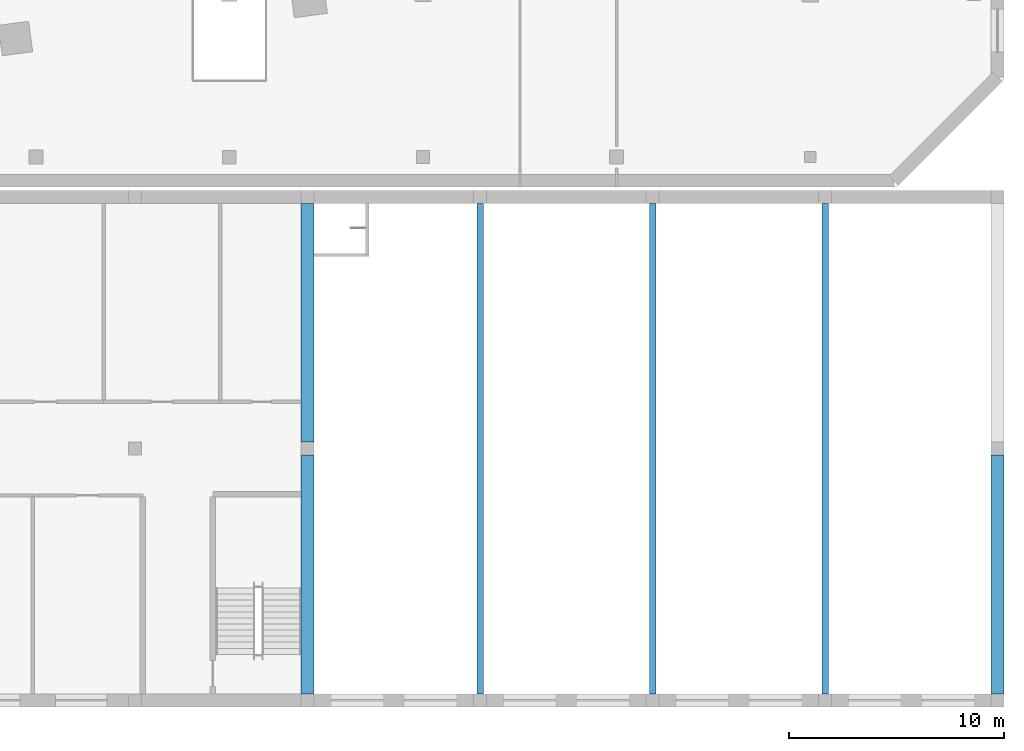
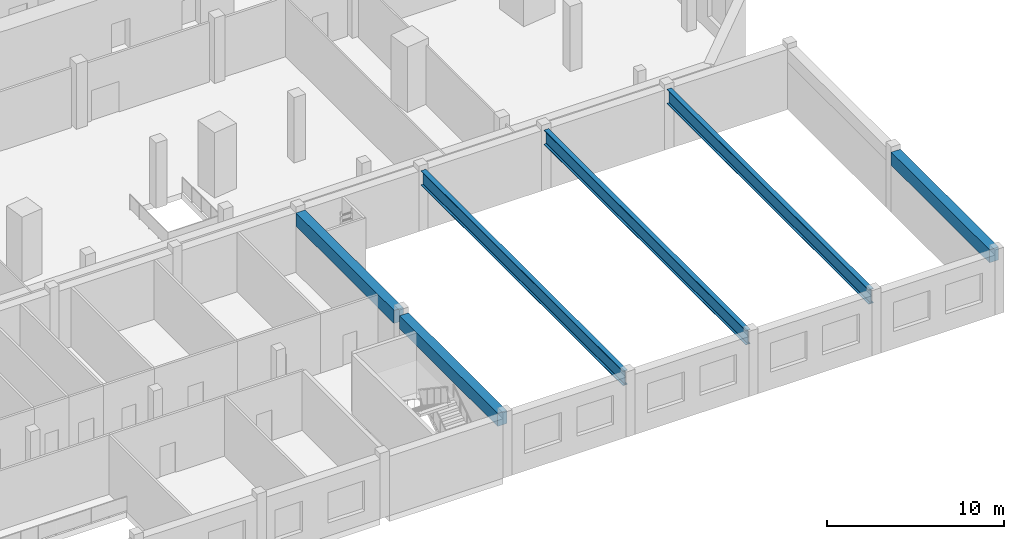
# One storey, part 3 of 27: 6 beams.
"""IFC4 building model written with IfcOpenShell, lengths in metres."""

import ifcopenshell
import ifcopenshell.guid

model = None  # the IFC model being written
_history = None  # IfcOwnerHistory: only IFC2X3 demands one
_inside = {}  # id of a spatial element -> (the spatial element, [elements in it])
_under = {}  # id of a project, library or spatial element -> (it, [spatial elements below it])
_declared = {}  # id of a project -> (the project, [libraries it declares])
_typed = {}  # id of a type object -> (the type object, [elements of that type])
_made_of = {}  # id of a material, layer set ... -> (it, [elements and type objects made of it])


def new_model(schema):
    """Start an empty IFC model of exactly this schema.

    Asked for "IFC4X3", IfcOpenShell would pick the latest addendum, in which some entities
    have other attributes; the version numbers below select the first issue.
    IFC2X3 requires an IfcOwnerHistory on every rooted entity: one is made here for all.
    """
    global model, _history
    if schema == "IFC4X3":
        model = ifcopenshell.file(schema_version=(4, 3, 0, 0))
    else:
        model = ifcopenshell.file(schema=schema)
    _inside.clear()
    _under.clear()
    _declared.clear()
    _typed.clear()
    _made_of.clear()
    _history = None
    if model.schema == "IFC2X3":
        org = make("IfcOrganization", Name="unknown")
        user = make(
            "IfcPersonAndOrganization",
            ThePerson=make("IfcPerson", FamilyName="unknown"),
            TheOrganization=org,
        )
        app = make(
            "IfcApplication",
            ApplicationDeveloper=org,
            Version="unknown",
            ApplicationFullName="unknown",
            ApplicationIdentifier="unknown",
        )
        _history = make(
            "IfcOwnerHistory",
            OwningUser=user,
            OwningApplication=app,
            ChangeAction="ADDED",
            CreationDate=0,
        )
    return model


def make(cls, **values):
    """One entity of the class cls with the attributes given. An attribute that is None is left unset."""
    return model.create_entity(
        cls, **{name: value for name, value in values.items() if value is not None}
    )


def rooted(cls, **values):
    """An entity with a GlobalId (a new one), such as an element, a storey or a relation."""
    return make(cls, GlobalId=ifcopenshell.guid.new(), OwnerHistory=_history, **values)


def si_unit(unit_type, name, prefix=None):
    """IfcSIUnit, for example si_unit("LENGTHUNIT", "METRE", prefix="MILLI")."""
    return make("IfcSIUnit", UnitType=unit_type, Prefix=prefix, Name=name)


def assignment(units):
    """IfcUnitAssignment: the units of a project."""
    return None if units is None else make("IfcUnitAssignment", Units=units)


def point(xyz):
    """IfcCartesianPoint."""
    return None if xyz is None else make("IfcCartesianPoint", Coordinates=xyz)


def direction(xyz):
    """IfcDirection."""
    return None if xyz is None else make("IfcDirection", DirectionRatios=xyz)


def frame(location, z_axis=None, x_axis=None):
    """IfcAxis2Placement3D, a coordinate frame: its origin and axes. An axis left out is left unset."""
    return make(
        "IfcAxis2Placement3D",
        Location=point(location),
        Axis=direction(z_axis),
        RefDirection=direction(x_axis),
    )


def frame_2d(location, x_axis=None):
    """IfcAxis2Placement2D, a coordinate frame in the plane: its origin and x axis."""
    return make(
        "IfcAxis2Placement2D", Location=point(location), RefDirection=direction(x_axis)
    )


def origin():
    """The frame at (0, 0, 0) with its axes left unset."""
    return frame((0.0, 0.0, 0.0))


def origin_2d():
    """The frame at (0, 0) in the plane with its x axis left unset."""
    return frame_2d((0.0, 0.0))


def place(relative_to, where):
    """IfcLocalPlacement: puts the frame where relative to a parent placement (None: the world)."""
    return make(
        "IfcLocalPlacement", PlacementRelTo=relative_to, RelativePlacement=where
    )


def context(
    kind, dimensions, precision=None, world=None, true_north=None, identifier=None
):
    """IfcGeometricRepresentationContext, for example the 3D "Model" context."""
    return make(
        "IfcGeometricRepresentationContext",
        ContextIdentifier=identifier,
        ContextType=kind,
        CoordinateSpaceDimension=dimensions,
        Precision=precision,
        WorldCoordinateSystem=world,
        TrueNorth=true_north,
    )


def subcontext(parent, identifier, kind, view, scale=None):
    """IfcGeometricRepresentationSubContext, for example "Body" below "Model"."""
    return make(
        "IfcGeometricRepresentationSubContext",
        ContextIdentifier=identifier,
        ContextType=kind,
        ParentContext=parent,
        TargetScale=scale,
        TargetView=view,
    )


def project(units=None, contexts=None):
    """IfcProject with its units and contexts."""
    return rooted(
        "IfcProject",
        Name="project",
        RepresentationContexts=contexts,
        UnitsInContext=assignment(units),
    )


def spatial(cls, under=None, at=None, **own):
    """A site, building, storey or space (cls), placed at a placement, below another one or the project."""
    s = rooted(cls, ObjectPlacement=at, **own)
    if under is not None:
        _under.setdefault(under.id(), (under, []))[1].append(s)
    return s


def profile(cls, at=None, kind="AREA", **sizes):
    """A parametric profile (cls). Its sizes go by their IFC names, for example OverallWidth=200.0."""
    return make(cls, ProfileType=kind, Position=at, **sizes)


def rectangle(**sizes):
    """IfcRectangleProfileDef."""
    return profile("IfcRectangleProfileDef", **sizes)


def i_section(**sizes):
    """IfcIShapeProfileDef."""
    return profile("IfcIShapeProfileDef", **sizes)


def extrude(swept, where, along, depth):
    """IfcExtrudedAreaSolid: the profile swept, set in the frame where, extruded along a direction by depth."""
    return make(
        "IfcExtrudedAreaSolid",
        SweptArea=swept,
        Position=where,
        ExtrudedDirection=direction(along),
        Depth=depth,
    )


def shape(context_of_items, identifier, shape_type, items):
    """IfcShapeRepresentation: the items that make up one representation, for example the "Body"."""
    return make(
        "IfcShapeRepresentation",
        ContextOfItems=context_of_items,
        RepresentationIdentifier=identifier,
        RepresentationType=shape_type,
        Items=items,
    )


def material(Name=None, Category=None):
    """IfcMaterial."""
    return make("IfcMaterial", Name=Name, Category=Category)


def material_profile(
    of_material, cross_section, Name=None, Category=None, Priority=None
):
    """IfcMaterialProfile: a cross section and its material."""
    return make(
        "IfcMaterialProfile",
        Name=Name,
        Material=of_material,
        Profile=cross_section,
        Priority=Priority,
        Category=Category,
    )


def profile_set(profiles, Name=None, composite=None):
    """IfcMaterialProfileSet."""
    return make(
        "IfcMaterialProfileSet",
        Name=Name,
        MaterialProfiles=profiles,
        CompositeProfile=composite,
    )


def made_of(thing, what):
    """Note that an element or type object is made of a material, layer set ...; save() writes the relation."""
    if what is not None:
        _made_of.setdefault(what.id(), (what, []))[1].append(thing)
    return thing


def type_object(cls, material=None, **own):
    """A type object (cls), such as IfcWallType, which elements share."""
    return made_of(rooted(cls, **own), material)


def element(
    cls,
    number,
    at=None,
    inside=None,
    cuts=None,
    type_object=None,
    material=None,
    context=None,
    identifier="Body",
    shape_type=None,
    held_by="IfcProductDefinitionShape",
    body=None,
    shapes=None,
    **own,
):
    """One element of the class cls, such as IfcWall. Its Tag is "e" and its number.

    at: its placement. inside: the storey or other place that contains it. cuts: it is an
    opening in that element (IfcRelVoidsElement). A single representation is given by context,
    identifier, shape_type and body (its items); several are given by shapes. held_by: the class
    of the entity that holds the representations. save() writes the other relations.
    """
    e = rooted(cls, Tag="e%d" % number, ObjectPlacement=at, **own)
    if body is not None:
        shapes = [shape(context, identifier, shape_type, body)]
    if shapes is not None:
        e.Representation = make(held_by, Representations=shapes)
    if inside is not None:
        _inside.setdefault(inside.id(), (inside, []))[1].append(e)
    if cuts is not None:
        rooted(
            "IfcRelVoidsElement", RelatingBuildingElement=cuts, RelatedOpeningElement=e
        )
    if type_object is not None:
        _typed.setdefault(type_object.id(), (type_object, []))[1].append(e)
    return made_of(e, material)


def aggregate(whole, parts):
    """IfcRelAggregates: a whole, such as a stair, and the parts it consists of."""
    return rooted("IfcRelAggregates", RelatingObject=whole, RelatedObjects=parts)


def save(model, path):
    """Write the relations noted so far, then the file.

    IfcRelAggregates (storeys below a building ...), IfcRelContainedInSpatialStructure (elements
    in a storey), IfcRelDefinesByType, IfcRelAssociatesMaterial and IfcRelDeclares: one each for
    every whole, place, type object, material and project.
    """
    for whole, parts in _under.values():
        aggregate(whole, parts)
    for where, things in _inside.values():
        rooted(
            "IfcRelContainedInSpatialStructure",
            RelatedElements=things,
            RelatingStructure=where,
        )
    for kind, things in _typed.values():
        rooted("IfcRelDefinesByType", RelatedObjects=things, RelatingType=kind)
    for what, things in _made_of.values():
        rooted("IfcRelAssociatesMaterial", RelatedObjects=things, RelatingMaterial=what)
    for by, libraries in _declared.values():
        rooted("IfcRelDeclares", RelatingContext=by, RelatedDefinitions=libraries)
    model.write(path)


model = new_model("IFC4")

# Units and contexts
model_context = context("Model", 3, precision=1e-05, world=origin(), true_north=direction((0.0, 1.0)))
body_context = subcontext(model_context, "Body", "Model", "MODEL_VIEW")
ifc_project = project(units=[si_unit("LENGTHUNIT", "METRE"), si_unit("AREAUNIT", "SQUARE_METRE"), si_unit("VOLUMEUNIT", "CUBIC_METRE"), si_unit("PLANEANGLEUNIT", "RADIAN"), si_unit("MASSUNIT", "GRAM", prefix="KILO")], contexts=[model_context])

# Site, building, storey
site_placement = place(None, origin())
site = spatial("IfcSite", under=ifc_project, at=site_placement, CompositionType="ELEMENT")
building_placement = place(site_placement, origin())
building = spatial("IfcBuilding", under=site, at=building_placement, Name="Dilmun Exchange Tower", CompositionType="ELEMENT")
storey_placement = place(building_placement, frame((0.0, 0.0, 4.5)))
storey = spatial("IfcBuildingStorey", under=building, at=storey_placement, Name="L01", CompositionType="ELEMENT", Elevation=4.5)

# Beams
ifc_material_1 = material(Name="Concrete C40/50", Category="concrete")
ifc_material_profile_1 = material_profile(ifc_material_1, rectangle(XDim=0.60009765625, YDim=0.89990234375, at=origin_2d()), Name="600 x 900")
ifc_profile_set_1 = profile_set([ifc_material_profile_1], Name="Concrete C40/50")
beam_type_1 = type_object("IfcBeamType", Name="School edge beam 600 x 900", PredefinedType="BEAM", material=ifc_profile_set_1)
for number, where, z_axis, x_axis, name in (
    (1, (3.63330078125, -59.550048828125, 3.64990234375), (0.0, 1.0, 0.0), (-1.0, 0.0, 0.0), "School sports hall edge beam"),
    (2, (3.63330078125, -47.85009765625, 3.64990234375), (0.0, 1.0, 0.0), (-1.0, 0.0, 0.0), "School sports hall edge beam"),
    (3, (35.699951171875, -59.550048828125, 3.699951171875), (0.0, 1.0, 0.0), (-1.0, 0.0, 0.0), "School sports hall edge beam"),
):
    element("IfcBeam", number, at=place(storey_placement, frame(where, z_axis=z_axis, x_axis=x_axis)), inside=storey, type_object=beam_type_1, Name=name, PredefinedType="BEAM", context=body_context, shape_type="SweptSolid", body=[
        extrude(rectangle(XDim=0.60009765625, YDim=0.89990234375, at=origin_2d()), origin(), (0.0, 0.0, 1.0), 11.10009765625),
    ])
ifc_material_2 = material(Name="Steel S355", Category="steel")
ifc_material_profile_2 = material_profile(ifc_material_2, i_section(OverallWidth=0.302001953125, OverallDepth=1.008056640625, WebThickness=0.02099609375, FlangeThickness=0.0400390625, FilletRadius=0.030029296875, at=origin_2d()), Name="HE 1000 M")
ifc_profile_set_2 = profile_set([ifc_material_profile_2], Name="Steel S355")
beam_type_2 = type_object("IfcBeamType", Name="School hall roof girder HE 1000 M", PredefinedType="BEAM", material=ifc_profile_set_2)
for number, where, z_axis, x_axis, name in (
    (4, (11.64990234375, -59.550048828125, 3.64599609375), (0.0, 1.0, 0.0), (-1.0, 0.0, 0.0), "School sports hall roof girder"),
    (5, (19.666748046875, -59.550048828125, 3.64599609375), (0.0, 1.0, 0.0), (-1.0, 0.0, 0.0), "School sports hall roof girder"),
    (6, (27.683349609375, -59.550048828125, 3.64599609375), (0.0, 1.0, 0.0), (-1.0, 0.0, 0.0), "School sports hall roof girder"),
):
    element("IfcBeam", number, at=place(storey_placement, frame(where, z_axis=z_axis, x_axis=x_axis)), inside=storey, type_object=beam_type_2, Name=name, PredefinedType="BEAM", context=body_context, shape_type="SweptSolid", body=[
        extrude(i_section(OverallWidth=0.302001953125, OverallDepth=1.008056640625, WebThickness=0.02099609375, FlangeThickness=0.0400390625, FilletRadius=0.030029296875, at=origin_2d()), origin(), (0.0, 0.0, 1.0), 22.800048828125),
    ])

save(model, "model.ifc")
